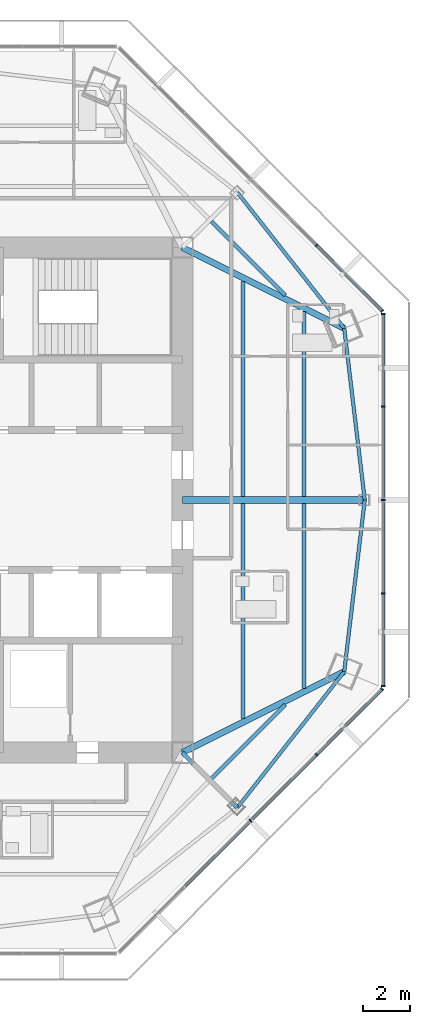
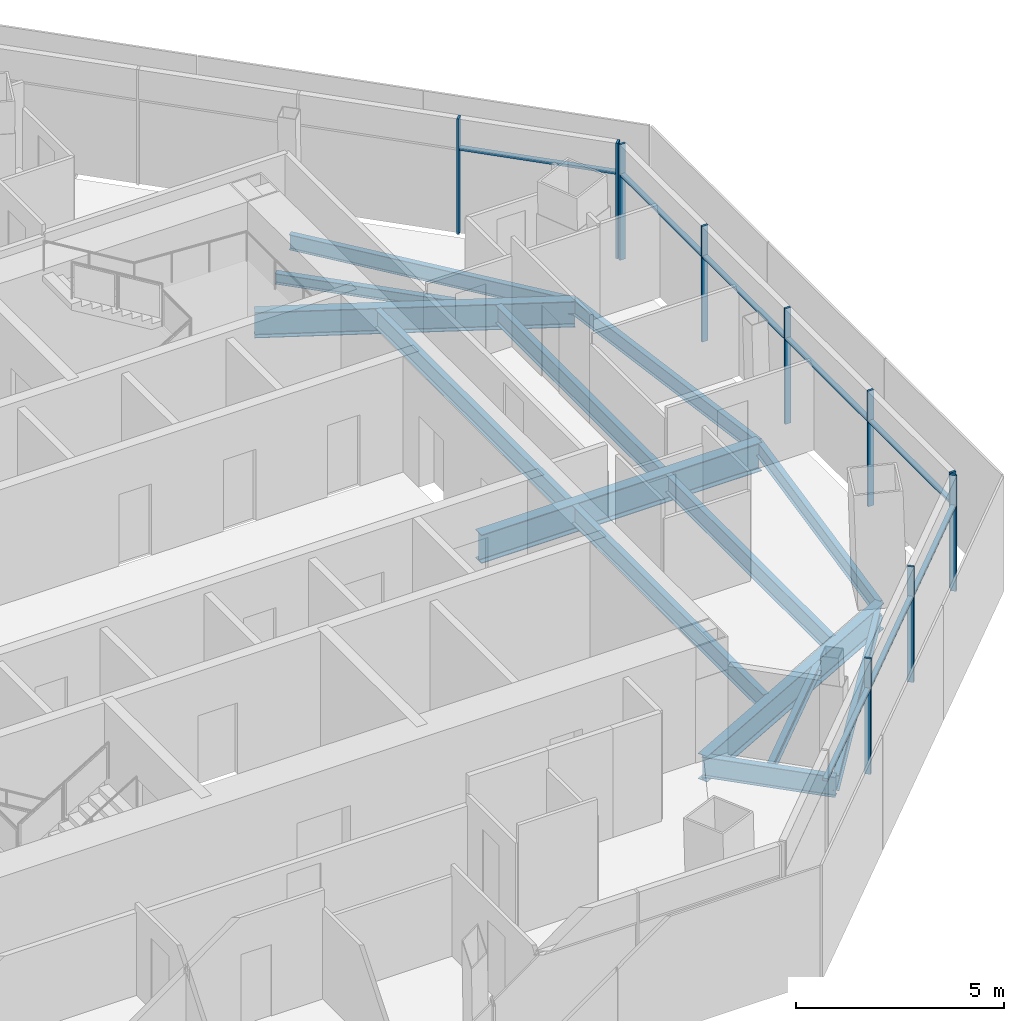
# One storey, part 5 of 15: 18 members, 14 beams, 3 elements without a shape of their own.
"""IFC4 building model written with IfcOpenShell, lengths in metres."""

from ifc_helpers import new_model, si_unit, direction, frame, origin, origin_2d, place, context, subcontext, project, spatial, rectangle, i_section, extrude, source, transform, mapped, material, material_profile, profile_set, type_object, type_shapes, element, aggregate, save


model = new_model("IFC4")

# Units and contexts
model_context = context("Model", 3, precision=1e-05, world=origin(), true_north=direction((0.0, 1.0)))
body_context = subcontext(model_context, "Body", "Model", "MODEL_VIEW")
ifc_project = project(units=[si_unit("LENGTHUNIT", "METRE"), si_unit("AREAUNIT", "SQUARE_METRE"), si_unit("VOLUMEUNIT", "CUBIC_METRE"), si_unit("PLANEANGLEUNIT", "RADIAN"), si_unit("MASSUNIT", "GRAM", prefix="KILO")], contexts=[model_context])

# Site, building, storey
site_placement = place(None, origin())
site = spatial("IfcSite", under=ifc_project, at=site_placement, CompositionType="ELEMENT")
building_placement = place(site_placement, origin())
building = spatial("IfcBuilding", under=site, at=building_placement, Name="Mashrafa Tower", CompositionType="ELEMENT")
storey_placement = place(building_placement, frame((0.0, 0.0, 304.800048828125)))
storey = spatial("IfcBuildingStorey", under=building, at=storey_placement, Name="L75", CompositionType="ELEMENT", Elevation=304.800048828125)

# Beams
ifc_material_1 = material(Name="Steel ASTM A992", Category="steel")
ifc_material_profile_1 = material_profile(ifc_material_1, i_section(OverallWidth=0.164794921875, OverallDepth=0.309814453125, WebThickness=0.005859375, FlangeThickness=0.009765625, FilletRadius=0.007568359375, at=origin_2d()), Name="W12X26")
ifc_profile_set_1 = profile_set([ifc_material_profile_1], Name="Steel ASTM A992")
beam_type_1 = type_object("IfcBeamType", Name="Beam W12X26", PredefinedType="BEAM", material=ifc_profile_set_1)
for number, where, z_axis, x_axis, name in (
    (1, (12.038330078125, 11.912353515625, -0.35498046875), (0.707134049443, -0.707079511879, 0.0), (0.707079511879, 0.707134049443, 0.0), "Floor beam L75 019"),
    (2, (15.203857421875, -8.7470703125, -0.35498046875), (-0.707134049443, -0.707079511879, 0.0), (0.707079511879, -0.707134049443, 0.0), "Floor beam L75 022"),
):
    element("IfcBeam", number, at=place(storey_placement, frame(where, z_axis=z_axis, x_axis=x_axis)), inside=storey, type_object=beam_type_1, Name=name, PredefinedType="BEAM", context=body_context, shape_type="SweptSolid", body=[
        extrude(i_section(OverallWidth=0.164794921875, OverallDepth=0.309814453125, WebThickness=0.005859375, FlangeThickness=0.009765625, FilletRadius=0.007568359375, at=origin_2d()), origin(), (0.0, 0.0, 1.0), 4.4765625),
    ])
ifc_material_2 = material(Name="Steel ASTM A992", Category="steel")
ifc_material_profile_2 = material_profile(ifc_material_2, i_section(OverallWidth=0.15234375, OverallDepth=0.449462890625, WebThickness=0.007568359375, FlangeThickness=0.0107421875, FilletRadius=0.01025390625, at=origin_2d()), Name="W18X35")
ifc_profile_set_2 = profile_set([ifc_material_profile_2], Name="Steel ASTM A992")
beam_type_2 = type_object("IfcBeamType", Name="Beam W18X35", PredefinedType="BEAM", material=ifc_profile_set_2)
for number, where, z_axis, x_axis, name in (
    (3, (13.15087890625, -13.15087890625, -0.4248046875), (0.61807532044, 0.786118883034, 0.0), (-0.786118883034, 0.61807532044, 0.0), "Spandrel beam L75 052"),
    (4, (17.7197265625, -7.33984375, -0.4248046875), (0.118797493966, 0.99291850392, 0.0), (-0.99291850392, 0.118797493966, 0.0), "Spandrel beam L75 054"),
    (5, (17.7197265625, 7.33984375, -0.4248046875), (-0.61807532044, 0.786118883034, 0.0), (-0.786118883034, -0.61807532044, 0.0), "Spandrel beam L75 055"),
    (6, (18.597900390625, 0.0, -0.4248046875), (-0.118797493966, 0.99291850392, 0.0), (-0.99291850392, -0.118797493966, 0.0), "Spandrel beam L75 056"),
):
    element("IfcBeam", number, at=place(storey_placement, frame(where, z_axis=z_axis, x_axis=x_axis)), inside=storey, type_object=beam_type_2, Name=name, PredefinedType="BEAM", context=body_context, shape_type="SweptSolid", body=[
        extrude(i_section(OverallWidth=0.15234375, OverallDepth=0.449462890625, WebThickness=0.007568359375, FlangeThickness=0.0107421875, FilletRadius=0.01025390625, at=origin_2d()), origin(), (0.0, 0.0, 1.0), 7.39208984375),
    ])
ifc_material_3 = material(Name="Steel ASTM A992", Category="steel")
ifc_material_profile_3 = material_profile(ifc_material_3, i_section(OverallWidth=0.165771484375, OverallDepth=0.5283203125, WebThickness=0.009765625, FlangeThickness=0.013671875, FilletRadius=0.012939453125, at=origin_2d()), Name="W21X50")
ifc_profile_set_3 = profile_set([ifc_material_profile_3], Name="Steel ASTM A992")
beam_type_3 = type_object("IfcBeamType", Name="Beam W21X50", PredefinedType="BEAM", material=ifc_profile_set_3)
for number, where, z_axis, x_axis, name in (
    (7, (13.3994140625, -0.14599609375, -0.464111328125), (0.0, -1.0, 0.0), (1.0, 0.0, 0.0), "Floor beam L75 020"),
    (8, (13.3994140625, 9.35107421875, -0.464111328125), (0.0, -1.0, 0.0), (1.0, 0.0, 0.0), "Floor beam L75 021"),
):
    element("IfcBeam", number, at=place(storey_placement, frame(where, z_axis=z_axis, x_axis=x_axis)), inside=storey, type_object=beam_type_3, Name=name, PredefinedType="BEAM", context=body_context, shape_type="SweptSolid", body=[
        extrude(i_section(OverallWidth=0.165771484375, OverallDepth=0.5283203125, WebThickness=0.009765625, FlangeThickness=0.013671875, FilletRadius=0.012939453125, at=origin_2d()), origin(), (0.0, 0.0, 1.0), 9.205078125),
    ])
for number, where, z_axis, x_axis, name in (
    (9, (15.998779296875, -0.14599609375, -0.464111328125), (0.0, -1.0, 0.0), (1.0, 0.0, 0.0), "Floor beam L75 023"),
    (10, (15.998779296875, 8.05126953125, -0.464111328125), (0.0, -1.0, 0.0), (1.0, 0.0, 0.0), "Floor beam L75 024"),
):
    element("IfcBeam", number, at=place(storey_placement, frame(where, z_axis=z_axis, x_axis=x_axis)), inside=storey, type_object=beam_type_3, Name=name, PredefinedType="BEAM", context=body_context, shape_type="SweptSolid", body=[
        extrude(i_section(OverallWidth=0.165771484375, OverallDepth=0.5283203125, WebThickness=0.009765625, FlangeThickness=0.013671875, FilletRadius=0.012939453125, at=origin_2d()), origin(), (0.0, 0.0, 1.0), 7.9052734375),
    ])
ifc_material_4 = material(Name="Steel ASTM A992", Category="steel")
ifc_material_profile_4 = material_profile(ifc_material_4, i_section(OverallWidth=0.177978515625, OverallDepth=0.599365234375, WebThickness=0.010009765625, FlangeThickness=0.012939453125, FilletRadius=0.012939453125, at=origin_2d()), Name="W24X55")
ifc_profile_set_4 = profile_set([ifc_material_profile_4], Name="Steel ASTM A992")
beam_type_4 = type_object("IfcBeamType", Name="Beam W24X55", PredefinedType="BEAM", material=ifc_profile_set_4)
beam_1_placement = place(storey_placement, frame((10.800048828125, -10.800048828125, -0.499755859375), z_axis=(0.707106781187, -0.707106781187, 0.0), x_axis=(0.707106781187, 0.707106781187, 0.0)))
element("IfcBeam", 11, at=beam_1_placement, inside=storey, type_object=beam_type_4, Name="Radial girder L75 035", PredefinedType="BEAM", context=body_context, shape_type="SweptSolid", body=[
    extrude(i_section(OverallWidth=0.177978515625, OverallDepth=0.599365234375, WebThickness=0.010009765625, FlangeThickness=0.012939453125, FilletRadius=0.012939453125, at=origin_2d()), origin(), (0.0, 0.0, 1.0), 3.324462890625),
])
ifc_material_5 = material(Name="Steel ASTM A992", Category="steel")
ifc_material_profile_5 = material_profile(ifc_material_5, i_section(OverallWidth=0.2666015625, OverallDepth=0.75439453125, WebThickness=0.01318359375, FlangeThickness=0.01708984375, FilletRadius=0.0166015625, at=origin_2d()), Name="W30X99")
ifc_profile_set_5 = profile_set([ifc_material_profile_5], Name="Steel ASTM A992")
beam_type_5 = type_object("IfcBeamType", Name="Beam W30X99", PredefinedType="BEAM", material=ifc_profile_set_5)
for number, where, z_axis, x_axis, name in (
    (12, (10.800048828125, -10.800048828125, -0.5771484375), (0.894408256248, 0.447251463, 0.0), (-0.447251463, 0.894408256248, 0.0), "Radial girder L75 036"),
    (13, (10.800048828125, 10.800048828125, -0.5771484375), (0.894408256248, -0.447251463, 0.0), (0.447251463, 0.894408256248, 0.0), "Radial girder L75 040"),
):
    element("IfcBeam", number, at=place(storey_placement, frame(where, z_axis=z_axis, x_axis=x_axis)), inside=storey, type_object=beam_type_5, Name=name, PredefinedType="BEAM", context=body_context, shape_type="SweptSolid", body=[
        extrude(i_section(OverallWidth=0.2666015625, OverallDepth=0.75439453125, WebThickness=0.01318359375, FlangeThickness=0.01708984375, FilletRadius=0.0166015625, at=origin_2d()), origin(), (0.0, 0.0, 1.0), 7.736572265625),
    ])
ifc_material_6 = material(Name="Steel ASTM A992", Category="steel")
ifc_material_profile_6 = material_profile(ifc_material_6, i_section(OverallWidth=0.2919921875, OverallDepth=0.8408203125, WebThickness=0.0146484375, FlangeThickness=0.021728515625, FilletRadius=0.017333984375, at=origin_2d()), Name="W33X130")
ifc_profile_set_6 = profile_set([ifc_material_profile_6], Name="Steel ASTM A992")
beam_type_6 = type_object("IfcBeamType", Name="Beam W33X130", PredefinedType="BEAM", material=ifc_profile_set_6)
beam_2_placement = place(storey_placement, frame((10.800048828125, 0.0, -0.620361328125), z_axis=(1.0, 0.0, 0.0), x_axis=(0.0, 1.0, 0.0)))
element("IfcBeam", 14, at=beam_2_placement, inside=storey, type_object=beam_type_6, Name="Radial girder L75 037", PredefinedType="BEAM", context=body_context, shape_type="SweptSolid", body=[
    extrude(i_section(OverallWidth=0.2919921875, OverallDepth=0.8408203125, WebThickness=0.0146484375, FlangeThickness=0.021728515625, FilletRadius=0.017333984375, at=origin_2d()), origin(), (0.0, 0.0, 1.0), 7.7978515625),
])

# Curtain wall, members
ifc_material_7 = material(Name="Unitised aluminium curtain wall", Category="aluminium")
curtain_wall_type = type_object("IfcCurtainWallType", Name="Apartment curtain wall, zone 4 CW-D 160 deep", PredefinedType="NOTDEFINED", material=ifc_material_7)
curtain_wall_1_placement = place(storey_placement, origin())
curtain_wall_1 = element("IfcCurtainWall", 15, at=curtain_wall_1_placement, inside=storey, type_object=curtain_wall_type, Name="Apartment curtain wall, zone 4 L75 east", PredefinedType="NOTDEFINED")
ifc_material_8 = material(Name="Extruded aluminium mullion", Category="aluminium")
ifc_material_profile_7 = material_profile(ifc_material_8, rectangle(XDim=0.159912109375, YDim=0.06005859375, at=origin_2d()), Name="Mullion 60x160")
ifc_profile_set_7 = profile_set([ifc_material_profile_7], Name="Extruded aluminium mullion")
member_type_1 = type_object("IfcMemberType", Name="Mullion CW-D 60 x 160", PredefinedType="MULLION", material=ifc_profile_set_7)
shared_shape_1 = source(origin(), body_context, "Body", "SweptSolid", [
    extrude(rectangle(XDim=0.159912109375, YDim=0.06005859375, at=origin_2d()), origin(), (0.0, 0.0, 1.0), 3.39990234375),
])
type_shapes(member_type_1, [shared_shape_1])
member_1_placement = place(storey_placement, frame((19.392333984375, -7.95947265625, 0.0), z_axis=(0.0, 0.0, 1.0), x_axis=(-1.0, 0.0, 0.0)))
member_1 = element("IfcMember", 16, at=member_1_placement, type_object=member_type_1, Name="CW-D mullion 1", PredefinedType="MULLION", context=body_context, shape_type="MappedRepresentation", body=[
    mapped(shared_shape_1, transform((0.0, 0.0, 0.0))),
])
member_2_placement = place(storey_placement, frame((19.392333984375, -3.99462890625, 0.0), z_axis=(0.0, 0.0, 1.0), x_axis=(-1.0, 0.0, 0.0)))
member_2 = element("IfcMember", 17, at=member_2_placement, type_object=member_type_1, Name="CW-D mullion 2", PredefinedType="MULLION", context=body_context, shape_type="MappedRepresentation", body=[
    mapped(shared_shape_1, transform((0.0, 0.0, 0.0))),
])
member_3_placement = place(storey_placement, frame((19.392333984375, 0.0, 0.0), z_axis=(0.0, 0.0, 1.0), x_axis=(-1.0, 0.0, 0.0)))
member_3 = element("IfcMember", 18, at=member_3_placement, type_object=member_type_1, Name="CW-D mullion 3", PredefinedType="MULLION", context=body_context, shape_type="MappedRepresentation", body=[
    mapped(shared_shape_1, transform((0.0, 0.0, 0.0))),
])
member_4_placement = place(storey_placement, frame((19.392333984375, 3.99462890625, 0.0), z_axis=(0.0, 0.0, 1.0), x_axis=(-1.0, 0.0, 0.0)))
member_4 = element("IfcMember", 19, at=member_4_placement, type_object=member_type_1, Name="CW-D mullion 4", PredefinedType="MULLION", context=body_context, shape_type="MappedRepresentation", body=[
    mapped(shared_shape_1, transform((0.0, 0.0, 0.0))),
])
member_5_placement = place(storey_placement, frame((19.392333984375, 7.95947265625, 0.0), z_axis=(0.0, 0.0, 1.0), x_axis=(-1.0, 0.0, 0.0)))
member_5 = element("IfcMember", 20, at=member_5_placement, type_object=member_type_1, Name="CW-D mullion 5", PredefinedType="MULLION", context=body_context, shape_type="MappedRepresentation", body=[
    mapped(shared_shape_1, transform((0.0, 0.0, 0.0))),
])

curtain_wall_2_placement = place(storey_placement, origin())
curtain_wall_2 = element("IfcCurtainWall", 21, at=curtain_wall_2_placement, inside=storey, type_object=curtain_wall_type, Name="Apartment curtain wall, zone 4 L75 north-east", PredefinedType="NOTDEFINED")
member_6_placement = place(storey_placement, frame((19.340576171875, 8.084228515625, 0.0), z_axis=(0.0, 0.0, 1.0), x_axis=(-0.707106781187, -0.707106781187, 0.0)))
member_6 = element("IfcMember", 22, at=member_6_placement, type_object=member_type_1, Name="CW-D mullion 1", PredefinedType="MULLION", context=body_context, shape_type="MappedRepresentation", body=[
    mapped(shared_shape_1, transform((0.0, 0.0, 0.0))),
])
member_7_placement = place(storey_placement, frame((16.537109375, 10.8876953125, 0.0), z_axis=(0.0, 0.0, 1.0), x_axis=(-0.707106781187, -0.707106781187, 0.0)))
member_7 = element("IfcMember", 23, at=member_7_placement, type_object=member_type_1, Name="CW-D mullion 2", PredefinedType="MULLION", context=body_context, shape_type="MappedRepresentation", body=[
    mapped(shared_shape_1, transform((0.0, 0.0, 0.0))),
])

curtain_wall_3_placement = place(storey_placement, origin())
curtain_wall_3 = element("IfcCurtainWall", 24, at=curtain_wall_3_placement, inside=storey, type_object=curtain_wall_type, Name="Apartment curtain wall, zone 4 L75 south-east", PredefinedType="NOTDEFINED")
member_8_placement = place(storey_placement, frame((13.71240234375, -13.71240234375, 0.0), z_axis=(0.0, 0.0, 1.0), x_axis=(-0.707106781187, 0.707106781187, 0.0)))
member_8 = element("IfcMember", 25, at=member_8_placement, type_object=member_type_1, Name="CW-D mullion 3", PredefinedType="MULLION", context=body_context, shape_type="MappedRepresentation", body=[
    mapped(shared_shape_1, transform((0.0, 0.0, 0.0))),
])
member_9_placement = place(storey_placement, frame((16.537109375, -10.8876953125, 0.0), z_axis=(0.0, 0.0, 1.0), x_axis=(-0.707106781187, 0.707106781187, 0.0)))
member_9 = element("IfcMember", 26, at=member_9_placement, type_object=member_type_1, Name="CW-D mullion 4", PredefinedType="MULLION", context=body_context, shape_type="MappedRepresentation", body=[
    mapped(shared_shape_1, transform((0.0, 0.0, 0.0))),
])
member_10_placement = place(storey_placement, frame((19.340576171875, -8.084228515625, 0.0), z_axis=(0.0, 0.0, 1.0), x_axis=(-0.707106781187, 0.707106781187, 0.0)))
member_10 = element("IfcMember", 27, at=member_10_placement, type_object=member_type_1, Name="CW-D mullion 5", PredefinedType="MULLION", context=body_context, shape_type="MappedRepresentation", body=[
    mapped(shared_shape_1, transform((0.0, 0.0, 0.0))),
])

# Member
ifc_material_9 = material(Name="Extruded aluminium transom", Category="aluminium")
ifc_material_profile_8 = material_profile(ifc_material_9, rectangle(XDim=0.1279296875, YDim=0.074951171875, at=origin_2d()), Name="Transom 75x128")
ifc_profile_set_8 = profile_set([ifc_material_profile_8], Name="Extruded aluminium transom")
member_type_2 = type_object("IfcMemberType", Name="Transom CW-D 75 x 128", PredefinedType="MULLION", material=ifc_profile_set_8)
shared_shape_2 = source(origin(), body_context, "Body", "SweptSolid", [
    extrude(rectangle(XDim=0.1279296875, YDim=0.074951171875, at=origin_2d()), origin(), (0.0, 0.0, 1.0), 3.90478515625),
])
member_11_placement = place(storey_placement, frame((19.392333984375, -7.929443359375, 2.5), z_axis=(0.0, 1.0, 0.0), x_axis=(-1.0, 0.0, 0.0)))
member_11 = element("IfcMember", 28, at=member_11_placement, type_object=member_type_2, Name="CW-D transom 1", PredefinedType="MULLION", context=body_context, shape_type="MappedRepresentation", body=[
    mapped(shared_shape_2, transform((0.0, 0.0, 0.0))),
])

member_12_placement = place(storey_placement, frame((19.392333984375, 4.024658203125, 2.5), z_axis=(0.0, 1.0, 0.0), x_axis=(-1.0, 0.0, 0.0)))
member_12 = element("IfcMember", 29, at=member_12_placement, type_object=member_type_2, Name="CW-D transom 4", PredefinedType="MULLION", context=body_context, shape_type="MappedRepresentation", body=[
    mapped(shared_shape_2, transform((0.0, 0.0, 0.0))),
])

shared_shape_3 = source(origin(), body_context, "Body", "SweptSolid", [
    extrude(rectangle(XDim=0.1279296875, YDim=0.074951171875, at=origin_2d()), origin(), (0.0, 0.0, 1.0), 3.9345703125),
])
member_13_placement = place(storey_placement, frame((19.392333984375, -3.964599609375, 2.5), z_axis=(0.0, 1.0, 0.0), x_axis=(-1.0, 0.0, 0.0)))
member_13 = element("IfcMember", 30, at=member_13_placement, type_object=member_type_2, Name="CW-D transom 2", PredefinedType="MULLION", context=body_context, shape_type="MappedRepresentation", body=[
    mapped(shared_shape_3, transform((0.0, 0.0, 0.0))),
])

member_14_placement = place(storey_placement, frame((19.392333984375, 0.030029296875, 2.5), z_axis=(0.0, 1.0, 0.0), x_axis=(-1.0, 0.0, 0.0)))
member_14 = element("IfcMember", 31, at=member_14_placement, type_object=member_type_2, Name="CW-D transom 3", PredefinedType="MULLION", context=body_context, shape_type="MappedRepresentation", body=[
    mapped(shared_shape_3, transform((0.0, 0.0, 0.0))),
])

aggregate(curtain_wall_1, [member_1, member_2, member_3, member_4, member_5, member_11, member_13, member_14, member_12])

member_15_placement = place(storey_placement, frame((10.908935546875, -16.515869140625, 2.5), z_axis=(0.707106781187, 0.707106781187, 0.0), x_axis=(-0.707106781187, 0.707106781187, 0.0)))
member_15 = element("IfcMember", 32, at=member_15_placement, type_object=member_type_2, Name="CW-D transom 2", PredefinedType="MULLION", context=body_context, shape_type="MappedRepresentation", body=[
    mapped(shared_shape_3, transform((0.0, 0.0, 0.0))),
])

member_16_placement = place(storey_placement, frame((13.733642578125, -13.691162109375, 2.5), z_axis=(0.707106781187, 0.707106781187, 0.0), x_axis=(-0.707106781187, 0.707106781187, 0.0)))
member_16 = element("IfcMember", 33, at=member_16_placement, type_object=member_type_2, Name="CW-D transom 3", PredefinedType="MULLION", context=body_context, shape_type="MappedRepresentation", body=[
    mapped(shared_shape_3, transform((0.0, 0.0, 0.0))),
])

shared_shape_4 = source(origin(), body_context, "Body", "SweptSolid", [
    extrude(rectangle(XDim=0.1279296875, YDim=0.074951171875, at=origin_2d()), origin(), (0.0, 0.0, 1.0), 3.904541015625),
])
type_shapes(member_type_2, [shared_shape_2, shared_shape_3, shared_shape_4])
member_17_placement = place(storey_placement, frame((19.3193359375, 8.10546875, 2.5), z_axis=(-0.707106781187, 0.707106781187, 0.0), x_axis=(-0.707106781187, -0.707106781187, 0.0)))
member_17 = element("IfcMember", 34, at=member_17_placement, type_object=member_type_2, Name="CW-D transom 1", PredefinedType="MULLION", context=body_context, shape_type="MappedRepresentation", body=[
    mapped(shared_shape_4, transform((0.0, 0.0, 0.0))),
])

aggregate(curtain_wall_2, [member_6, member_7, member_17])

member_18_placement = place(storey_placement, frame((16.558349609375, -10.866455078125, 2.5), z_axis=(0.707106781187, 0.707106781187, 0.0), x_axis=(-0.707106781187, 0.707106781187, 0.0)))
member_18 = element("IfcMember", 35, at=member_18_placement, type_object=member_type_2, Name="CW-D transom 4", PredefinedType="MULLION", context=body_context, shape_type="MappedRepresentation", body=[
    mapped(shared_shape_4, transform((0.0, 0.0, 0.0))),
])

aggregate(curtain_wall_3, [member_8, member_9, member_10, member_15, member_16, member_18])

save(model, "model.ifc")
